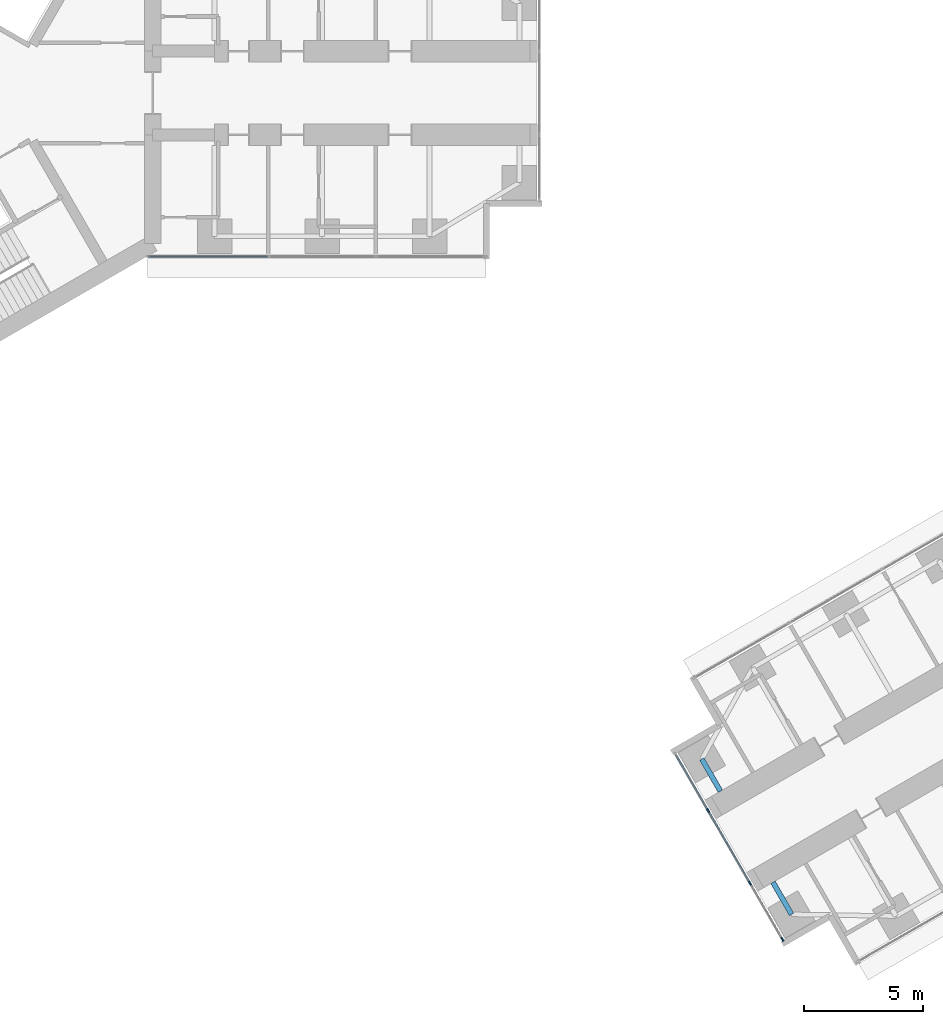
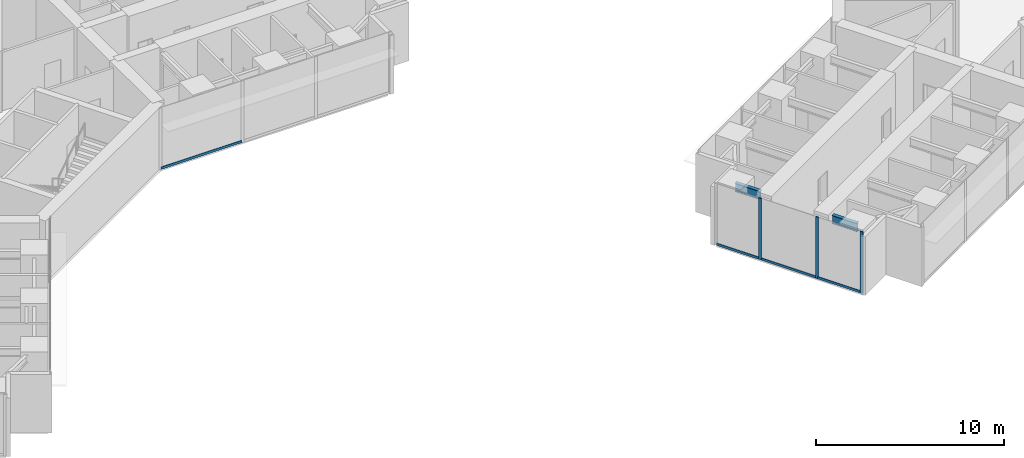
# One storey, part 3 of 24: 7 members, 2 beams, 2 elements without a shape of their own.
"""IFC4 building model written with IfcOpenShell, lengths in metres."""

from ifc_helpers import new_model, si_unit, direction, frame, origin, origin_2d, place, context, subcontext, project, spatial, rectangle, i_section, extrude, material, material_profile, profile_set, type_object, element, aggregate, save


model = new_model("IFC4")

# Units and contexts
model_context = context("Model", 3, precision=1e-05, world=origin(), true_north=direction((0.0, 1.0)))
body_context = subcontext(model_context, "Body", "Model", "MODEL_VIEW")
ifc_project = project(units=[si_unit("LENGTHUNIT", "METRE"), si_unit("AREAUNIT", "SQUARE_METRE"), si_unit("VOLUMEUNIT", "CUBIC_METRE"), si_unit("PLANEANGLEUNIT", "RADIAN"), si_unit("MASSUNIT", "GRAM", prefix="KILO")], contexts=[model_context])

# Site, building, storey
site_placement = place(None, origin())
site = spatial("IfcSite", under=ifc_project, at=site_placement, CompositionType="ELEMENT")
building_placement = place(site_placement, origin())
building = spatial("IfcBuilding", under=site, at=building_placement, Name="Upepo Twin Towers", CompositionType="ELEMENT")
storey_placement = place(building_placement, frame((0.0, 0.0, 68.5)))
storey = spatial("IfcBuildingStorey", under=building, at=storey_placement, Name="L16", CompositionType="ELEMENT", Elevation=68.5)

# Beams
ifc_material_1 = material(Name="Steel S355", Category="steel")
ifc_material_profile_1 = material_profile(ifc_material_1, i_section(OverallWidth=0.2119140625, OverallDepth=0.54443359375, WebThickness=0.0126953125, FlangeThickness=0.021240234375, FilletRadius=0.0126953125, at=origin_2d()), Name="UB 533x210x122")
ifc_profile_set_1 = profile_set([ifc_material_profile_1], Name="Steel S355")
beam_type = type_object("IfcBeamType", Name="Beam UB 533x210x122", PredefinedType="BEAM", material=ifc_profile_set_1)
for number, where, z_axis, x_axis, name in (
    (1, (37.641845703125, -34.37255859375, 3.52783203125), (-0.499967891604, 0.866043940782, 0.0), (-0.866043940782, -0.499967891604, 0.0), "T2 nose beam BL"),
    (2, (33.891845703125, -27.87744140625, 3.52783203125), (0.499967891604, -0.866043940782, 0.0), (0.866043940782, 0.499967891604, 0.0), "T2 nose beam BR"),
):
    element("IfcBeam", number, at=place(storey_placement, frame(where, z_axis=z_axis, x_axis=x_axis)), inside=storey, type_object=beam_type, Name=name, PredefinedType="BEAM", context=body_context, shape_type="SweptSolid", body=[
        extrude(i_section(OverallWidth=0.2119140625, OverallDepth=0.54443359375, WebThickness=0.0126953125, FlangeThickness=0.021240234375, FilletRadius=0.0126953125, at=origin_2d()), origin(), (0.0, 0.0, 1.0), 1.5498046875),
    ])

# Curtain wall, members
ifc_material_2 = material(Name="Aluminium and fritted glass", Category="aluminium")
curtain_wall_type = type_object("IfcCurtainWallType", Name="Tower curtain wall TW1, fritted glass", PredefinedType="NOTDEFINED", material=ifc_material_2)
curtain_wall_1_placement = place(storey_placement, origin())
curtain_wall_1 = element("IfcCurtainWall", 3, at=curtain_wall_1_placement, inside=storey, type_object=curtain_wall_type, Name="T2 L16 wing B nose curtain wall", PredefinedType="NOTDEFINED")
ifc_material_3 = material(Name="Aluminium mullion", Category="aluminium")
ifc_material_profile_2 = material_profile(ifc_material_3, rectangle(XDim=0.06494140625, YDim=0.179931640625, at=origin_2d()), Name="MULLION 65x180")
ifc_profile_set_2 = profile_set([ifc_material_profile_2], Name="Aluminium mullion")
member_type_1 = type_object("IfcMemberType", Name="Mullion 65x180 TW1", PredefinedType="MULLION", material=ifc_profile_set_2)
member_1_placement = place(storey_placement, frame((34.15576171875, -30.034423828125, 0.0), z_axis=(0.0, 0.0, 1.0), x_axis=(0.866025386174, 0.500000030502, 0.0)))
member_1 = element("IfcMember", 4, at=member_1_placement, type_object=member_type_1, Name="T2 L16 wing B nose curtain wall mullion 2", PredefinedType="MULLION", context=body_context, shape_type="SweptSolid", body=[
    extrude(rectangle(XDim=0.06494140625, YDim=0.179931640625, at=origin_2d()), origin(), (0.0, 0.0, 1.0), 4.0),
])
member_2_placement = place(storey_placement, frame((35.90576171875, -33.0654296875, 0.0), z_axis=(0.0, 0.0, 1.0), x_axis=(0.866025386174, 0.500000030502, 0.0)))
member_2 = element("IfcMember", 5, at=member_2_placement, type_object=member_type_1, Name="T2 L16 wing B nose curtain wall mullion 3", PredefinedType="MULLION", context=body_context, shape_type="SweptSolid", body=[
    extrude(rectangle(XDim=0.06494140625, YDim=0.179931640625, at=origin_2d()), origin(), (0.0, 0.0, 1.0), 4.0),
])
member_3_placement = place(storey_placement, frame((37.264404296875, -35.4189453125, 0.0), z_axis=(0.0, 0.0, 1.0), x_axis=(0.866025386174, 0.500000030502, 0.0)))
member_3 = element("IfcMember", 6, at=member_3_placement, type_object=member_type_1, Name="T2 L16 wing B nose curtain wall mullion 4", PredefinedType="MULLION", context=body_context, shape_type="SweptSolid", body=[
    extrude(rectangle(XDim=0.06494140625, YDim=0.179931640625, at=origin_2d()), origin(), (0.0, 0.0, 1.0), 4.0),
])

# Curtain wall, member
curtain_wall_2_placement = place(storey_placement, origin())
curtain_wall_2 = element("IfcCurtainWall", 7, at=curtain_wall_2_placement, inside=storey, type_object=curtain_wall_type, Name="T1 L16 wing A flank R curtain wall", PredefinedType="NOTDEFINED")
ifc_material_4 = material(Name="Aluminium transom", Category="aluminium")
ifc_material_profile_3 = material_profile(ifc_material_4, rectangle(XDim=0.06494140625, YDim=0.14990234375, at=origin_2d()), Name="TRANSOM 65x150")
ifc_profile_set_3 = profile_set([ifc_material_profile_3], Name="Aluminium transom")
member_type_2 = type_object("IfcMemberType", Name="Transom 65x150 TW1", PredefinedType="USERDEFINED", material=ifc_profile_set_3)
member_4_placement = place(storey_placement, frame((15.717529296875, -6.85009765625, 0.074951171875), z_axis=(-1.0, 0.0, 0.0), x_axis=(0.0, -1.0, 0.0)))
member_4 = element("IfcMember", 8, at=member_4_placement, type_object=member_type_2, Name="T1 L16 wing A flank R curtain wall transom 3", ObjectType="TRANSOM", PredefinedType="USERDEFINED", context=body_context, shape_type="SweptSolid", body=[
    extrude(rectangle(XDim=0.06494140625, YDim=0.14990234375, at=origin_2d()), origin(), (0.0, 0.0, 1.0), 4.96533203125),
])
aggregate(curtain_wall_2, [member_4])

# Member
member_5_placement = place(storey_placement, frame((32.813232421875, -27.709228515625, 0.074951171875), z_axis=(0.499980071345, -0.866036909293, 0.0), x_axis=(0.866036909293, 0.499980071345, 0.0)))
member_5 = element("IfcMember", 9, at=member_5_placement, type_object=member_type_2, Name="T2 L16 wing B nose curtain wall transom 1", ObjectType="TRANSOM", PredefinedType="USERDEFINED", context=body_context, shape_type="SweptSolid", body=[
    extrude(rectangle(XDim=0.06494140625, YDim=0.14990234375, at=origin_2d()), origin(), (0.0, 0.0, 1.0), 2.65234375),
])

member_6_placement = place(storey_placement, frame((34.171875, -30.0625, 0.074951171875), z_axis=(0.499999305434, -0.866025804792, 0.0), x_axis=(0.866025804792, 0.499999305434, 0.0)))
member_6 = element("IfcMember", 10, at=member_6_placement, type_object=member_type_2, Name="T2 L16 wing B nose curtain wall transom 2", ObjectType="TRANSOM", PredefinedType="USERDEFINED", context=body_context, shape_type="SweptSolid", body=[
    extrude(rectangle(XDim=0.06494140625, YDim=0.14990234375, at=origin_2d()), origin(), (0.0, 0.0, 1.0), 3.43505859375),
])

member_7_placement = place(storey_placement, frame((35.921875, -33.09375, 0.074951171875), z_axis=(0.500049101008, -0.865997053448, 0.0), x_axis=(0.865997053448, 0.500049101008, 0.0)))
member_7 = element("IfcMember", 11, at=member_7_placement, type_object=member_type_2, Name="T2 L16 wing B nose curtain wall transom 3", ObjectType="TRANSOM", PredefinedType="USERDEFINED", context=body_context, shape_type="SweptSolid", body=[
    extrude(rectangle(XDim=0.06494140625, YDim=0.14990234375, at=origin_2d()), origin(), (0.0, 0.0, 1.0), 2.652587890625),
])

aggregate(curtain_wall_1, [member_1, member_2, member_3, member_5, member_6, member_7])

save(model, "model.ifc")
